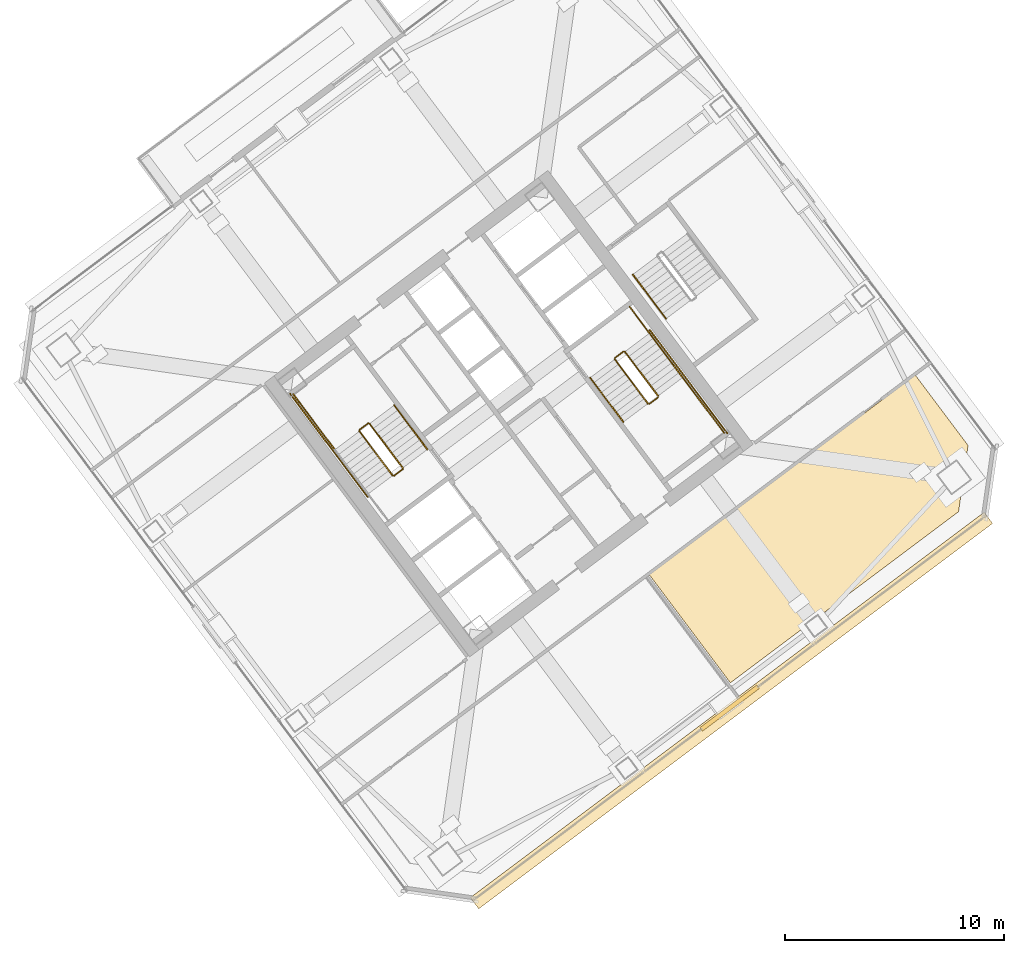
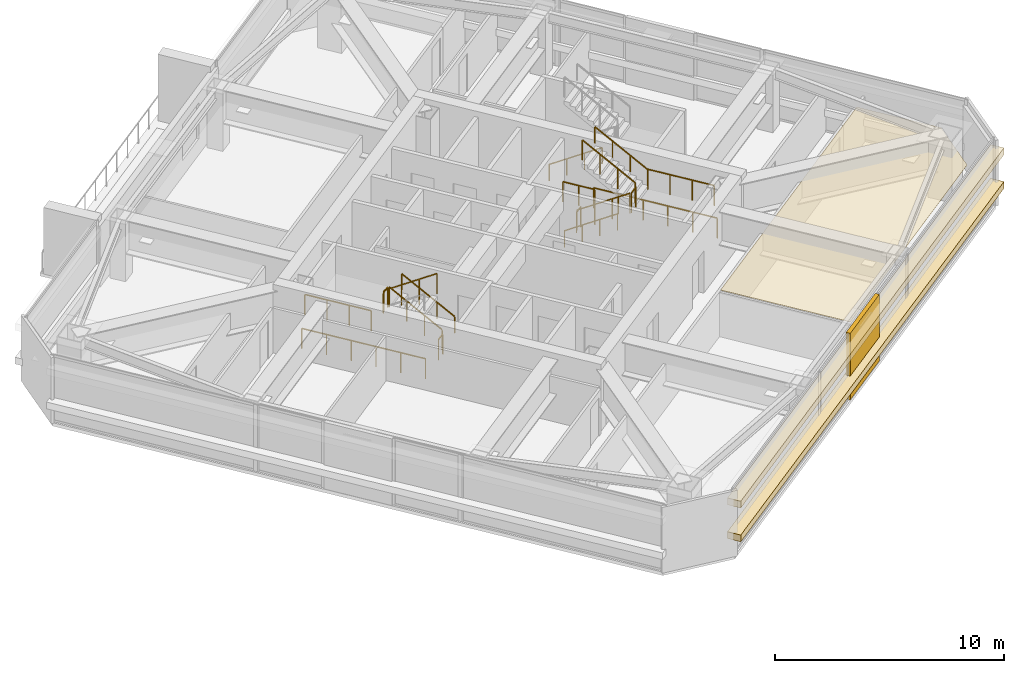
# One storey, part 40 of 42: 17 railings, 4 coverings.
"""IFC4 building model written with IfcOpenShell, lengths in metres."""

import ifcopenshell
import ifcopenshell.guid

model = None  # the IFC model being written
_history = None  # IfcOwnerHistory: only IFC2X3 demands one
_inside = {}  # id of a spatial element -> (the spatial element, [elements in it])
_under = {}  # id of a project, library or spatial element -> (it, [spatial elements below it])
_declared = {}  # id of a project -> (the project, [libraries it declares])
_typed = {}  # id of a type object -> (the type object, [elements of that type])
_made_of = {}  # id of a material, layer set ... -> (it, [elements and type objects made of it])


def new_model(schema):
    """Start an empty IFC model of exactly this schema.

    Asked for "IFC4X3", IfcOpenShell would pick the latest addendum, in which some entities
    have other attributes; the version numbers below select the first issue.
    IFC2X3 requires an IfcOwnerHistory on every rooted entity: one is made here for all.
    """
    global model, _history
    if schema == "IFC4X3":
        model = ifcopenshell.file(schema_version=(4, 3, 0, 0))
    else:
        model = ifcopenshell.file(schema=schema)
    _inside.clear()
    _under.clear()
    _declared.clear()
    _typed.clear()
    _made_of.clear()
    _history = None
    if model.schema == "IFC2X3":
        org = make("IfcOrganization", Name="unknown")
        user = make(
            "IfcPersonAndOrganization",
            ThePerson=make("IfcPerson", FamilyName="unknown"),
            TheOrganization=org,
        )
        app = make(
            "IfcApplication",
            ApplicationDeveloper=org,
            Version="unknown",
            ApplicationFullName="unknown",
            ApplicationIdentifier="unknown",
        )
        _history = make(
            "IfcOwnerHistory",
            OwningUser=user,
            OwningApplication=app,
            ChangeAction="ADDED",
            CreationDate=0,
        )
    return model


def make(cls, **values):
    """One entity of the class cls with the attributes given. An attribute that is None is left unset."""
    return model.create_entity(
        cls, **{name: value for name, value in values.items() if value is not None}
    )


def rooted(cls, **values):
    """An entity with a GlobalId (a new one), such as an element, a storey or a relation."""
    return make(cls, GlobalId=ifcopenshell.guid.new(), OwnerHistory=_history, **values)


def si_unit(unit_type, name, prefix=None):
    """IfcSIUnit, for example si_unit("LENGTHUNIT", "METRE", prefix="MILLI")."""
    return make("IfcSIUnit", UnitType=unit_type, Prefix=prefix, Name=name)


def assignment(units):
    """IfcUnitAssignment: the units of a project."""
    return None if units is None else make("IfcUnitAssignment", Units=units)


def point(xyz):
    """IfcCartesianPoint."""
    return None if xyz is None else make("IfcCartesianPoint", Coordinates=xyz)


def direction(xyz):
    """IfcDirection."""
    return None if xyz is None else make("IfcDirection", DirectionRatios=xyz)


def frame(location, z_axis=None, x_axis=None):
    """IfcAxis2Placement3D, a coordinate frame: its origin and axes. An axis left out is left unset."""
    return make(
        "IfcAxis2Placement3D",
        Location=point(location),
        Axis=direction(z_axis),
        RefDirection=direction(x_axis),
    )


def frame_2d(location, x_axis=None):
    """IfcAxis2Placement2D, a coordinate frame in the plane: its origin and x axis."""
    return make(
        "IfcAxis2Placement2D", Location=point(location), RefDirection=direction(x_axis)
    )


def origin():
    """The frame at (0, 0, 0) with its axes left unset."""
    return frame((0.0, 0.0, 0.0))


def origin_2d():
    """The frame at (0, 0) in the plane with its x axis left unset."""
    return frame_2d((0.0, 0.0))


def place(relative_to, where):
    """IfcLocalPlacement: puts the frame where relative to a parent placement (None: the world)."""
    return make(
        "IfcLocalPlacement", PlacementRelTo=relative_to, RelativePlacement=where
    )


def context(
    kind, dimensions, precision=None, world=None, true_north=None, identifier=None
):
    """IfcGeometricRepresentationContext, for example the 3D "Model" context."""
    return make(
        "IfcGeometricRepresentationContext",
        ContextIdentifier=identifier,
        ContextType=kind,
        CoordinateSpaceDimension=dimensions,
        Precision=precision,
        WorldCoordinateSystem=world,
        TrueNorth=true_north,
    )


def subcontext(parent, identifier, kind, view, scale=None):
    """IfcGeometricRepresentationSubContext, for example "Body" below "Model"."""
    return make(
        "IfcGeometricRepresentationSubContext",
        ContextIdentifier=identifier,
        ContextType=kind,
        ParentContext=parent,
        TargetScale=scale,
        TargetView=view,
    )


def project(units=None, contexts=None):
    """IfcProject with its units and contexts."""
    return rooted(
        "IfcProject",
        Name="project",
        RepresentationContexts=contexts,
        UnitsInContext=assignment(units),
    )


def spatial(cls, under=None, at=None, **own):
    """A site, building, storey or space (cls), placed at a placement, below another one or the project."""
    s = rooted(cls, ObjectPlacement=at, **own)
    if under is not None:
        _under.setdefault(under.id(), (under, []))[1].append(s)
    return s


def polyline(points):
    """IfcPolyline through the points."""
    return make("IfcPolyline", Points=[point(p) for p in points])


def profile(cls, at=None, kind="AREA", **sizes):
    """A parametric profile (cls). Its sizes go by their IFC names, for example OverallWidth=200.0."""
    return make(cls, ProfileType=kind, Position=at, **sizes)


def rectangle(**sizes):
    """IfcRectangleProfileDef."""
    return profile("IfcRectangleProfileDef", **sizes)


def outline(outer, holes=None, kind="AREA"):
    """IfcArbitraryClosedProfileDef: a profile drawn as a closed curve; with holes, ...WithVoids."""
    if holes is None:
        return make("IfcArbitraryClosedProfileDef", ProfileType=kind, OuterCurve=outer)
    return make(
        "IfcArbitraryProfileDefWithVoids",
        ProfileType=kind,
        OuterCurve=outer,
        InnerCurves=holes,
    )


def extrude(swept, where, along, depth):
    """IfcExtrudedAreaSolid: the profile swept, set in the frame where, extruded along a direction by depth."""
    return make(
        "IfcExtrudedAreaSolid",
        SweptArea=swept,
        Position=where,
        ExtrudedDirection=direction(along),
        Depth=depth,
    )


def shape(context_of_items, identifier, shape_type, items):
    """IfcShapeRepresentation: the items that make up one representation, for example the "Body"."""
    return make(
        "IfcShapeRepresentation",
        ContextOfItems=context_of_items,
        RepresentationIdentifier=identifier,
        RepresentationType=shape_type,
        Items=items,
    )


def material(Name=None, Category=None):
    """IfcMaterial."""
    return make("IfcMaterial", Name=Name, Category=Category)


def layer(
    of_material, thickness, ventilated=None, Name=None, Category=None, Priority=None
):
    """IfcMaterialLayer: one layer of a wall or slab, of a material (None: an air gap)."""
    return make(
        "IfcMaterialLayer",
        Material=of_material,
        LayerThickness=thickness,
        IsVentilated=ventilated,
        Name=Name,
        Category=Category,
        Priority=Priority,
    )


def layer_set(layers, Name=None):
    """IfcMaterialLayerSet."""
    return make("IfcMaterialLayerSet", MaterialLayers=layers, LayerSetName=Name)


def made_of(thing, what):
    """Note that an element or type object is made of a material, layer set ...; save() writes the relation."""
    if what is not None:
        _made_of.setdefault(what.id(), (what, []))[1].append(thing)
    return thing


def type_object(cls, material=None, **own):
    """A type object (cls), such as IfcWallType, which elements share."""
    return made_of(rooted(cls, **own), material)


def element(
    cls,
    number,
    at=None,
    inside=None,
    cuts=None,
    type_object=None,
    material=None,
    context=None,
    identifier="Body",
    shape_type=None,
    held_by="IfcProductDefinitionShape",
    body=None,
    shapes=None,
    **own,
):
    """One element of the class cls, such as IfcWall. Its Tag is "e" and its number.

    at: its placement. inside: the storey or other place that contains it. cuts: it is an
    opening in that element (IfcRelVoidsElement). A single representation is given by context,
    identifier, shape_type and body (its items); several are given by shapes. held_by: the class
    of the entity that holds the representations. save() writes the other relations.
    """
    e = rooted(cls, Tag="e%d" % number, ObjectPlacement=at, **own)
    if body is not None:
        shapes = [shape(context, identifier, shape_type, body)]
    if shapes is not None:
        e.Representation = make(held_by, Representations=shapes)
    if inside is not None:
        _inside.setdefault(inside.id(), (inside, []))[1].append(e)
    if cuts is not None:
        rooted(
            "IfcRelVoidsElement", RelatingBuildingElement=cuts, RelatedOpeningElement=e
        )
    if type_object is not None:
        _typed.setdefault(type_object.id(), (type_object, []))[1].append(e)
    return made_of(e, material)


def aggregate(whole, parts):
    """IfcRelAggregates: a whole, such as a stair, and the parts it consists of."""
    return rooted("IfcRelAggregates", RelatingObject=whole, RelatedObjects=parts)


def save(model, path):
    """Write the relations noted so far, then the file.

    IfcRelAggregates (storeys below a building ...), IfcRelContainedInSpatialStructure (elements
    in a storey), IfcRelDefinesByType, IfcRelAssociatesMaterial and IfcRelDeclares: one each for
    every whole, place, type object, material and project.
    """
    for whole, parts in _under.values():
        aggregate(whole, parts)
    for where, things in _inside.values():
        rooted(
            "IfcRelContainedInSpatialStructure",
            RelatedElements=things,
            RelatingStructure=where,
        )
    for kind, things in _typed.values():
        rooted("IfcRelDefinesByType", RelatedObjects=things, RelatingType=kind)
    for what, things in _made_of.values():
        rooted("IfcRelAssociatesMaterial", RelatedObjects=things, RelatingMaterial=what)
    for by, libraries in _declared.values():
        rooted("IfcRelDeclares", RelatingContext=by, RelatedDefinitions=libraries)
    model.write(path)


model = new_model("IFC4")

# Units and contexts
model_context = context("Model", 3, precision=1e-05, world=origin(), true_north=direction((0.0, 1.0)))
body_context = subcontext(model_context, "Body", "Model", "MODEL_VIEW")
ifc_project = project(units=[si_unit("LENGTHUNIT", "METRE"), si_unit("AREAUNIT", "SQUARE_METRE"), si_unit("VOLUMEUNIT", "CUBIC_METRE"), si_unit("PLANEANGLEUNIT", "RADIAN"), si_unit("MASSUNIT", "GRAM", prefix="KILO")], contexts=[model_context])

# Site, building, storey
site_placement = place(None, origin())
site = spatial("IfcSite", under=ifc_project, at=site_placement, CompositionType="ELEMENT")
building_placement = place(site_placement, origin())
building = spatial("IfcBuilding", under=site, at=building_placement, Name="Tashvorn Skyway Center", CompositionType="ELEMENT")
storey_placement = place(building_placement, frame((0.0, 0.0, 196.050048828125)))
storey = spatial("IfcBuildingStorey", under=building, at=storey_placement, Name="L53", CompositionType="ELEMENT", Elevation=196.050048828125)

# Coverings
ifc_material_1 = material(Name="Precast concrete C40/50", Category="concrete")
ifc_layer_1 = layer(ifc_material_1, 0.199951171875)
ifc_layer_set_1 = layer_set([ifc_layer_1], Name="Precast concrete C40/50")
covering_type_1 = type_object("IfcCoveringType", Name="COV-BRACE-CLAD", PredefinedType="CLADDING", material=ifc_layer_set_1)
covering_1_placement = place(storey_placement, frame((124.068115234375, 18.575927734375, 0.0), z_axis=(0.0, 0.0, 1.0), x_axis=(-0.799999996291, -0.600000004945, 0.0)))
element("IfcCovering", 1, at=covering_1_placement, inside=storey, type_object=covering_type_1, Name="Tower 2 L53 South Unitised Curtain Wall Mega-Brace Cladding Band 1", PredefinedType="CLADDING", context=body_context, shape_type="SweptSolid", body=[
    extrude(rectangle(XDim=3.239990234375, YDim=0.199951171875, at=origin_2d()), origin(), (0.0, 0.0, 1.0), 3.550048828125),
])
ifc_material_2 = material(Name="Mineral-fibre acoustic ceiling tile on suspended grid")
ifc_layer_2 = layer(ifc_material_2, 0.02001953125)
ifc_layer_set_2 = layer_set([ifc_layer_2], Name="Mineral-fibre acoustic ceiling tile on suspended grid")
covering_type_2 = type_object("IfcCoveringType", Name="COV-CEIL-20", PredefinedType="CEILING", material=ifc_layer_set_2)
covering_2_placement = place(storey_placement, frame((0.0, 0.0, 2.373046875)))
element("IfcCovering", 2, at=covering_2_placement, inside=storey, type_object=covering_type_2, Name="Tower 2 L53 Staff Fitness Club Acoustic Ceiling", PredefinedType="CEILING", context=body_context, shape_type="SweptSolid", body=[
    extrude(outline(polyline([(124.10400390625, 19.72802734375), (120.402099609375, 24.6640625), (132.530029296875, 33.760009765625), (134.93603515625, 30.552001953125), (134.50390625, 27.528076171875), (124.10400390625, 19.72802734375)])), origin(), (0.0, 0.0, 1.0), 0.02001953125),
])
ifc_material_3 = material(Name="Perforated ceramic-coated bronze aluminium solar screen", Category="aluminium")
ifc_layer_3 = layer(ifc_material_3, 0.85009765625)
ifc_layer_set_3 = layer_set([ifc_layer_3], Name="Perforated ceramic-coated bronze aluminium solar screen")
covering_type_3 = type_object("IfcCoveringType", Name="COV-SOLAR-BAND", PredefinedType="CLADDING", material=ifc_layer_set_3)
for number, where, z_axis, x_axis, name in (
    (3, (124.152099609375, 18.464111328125, 0.919921875), (0.0, 0.0, 1.0), (-0.799999996291, -0.600000004945, 0.0), "L53 Perforated Ceramic-Metal Solar Screen Louvre Band South 1"),
    (4, (124.152099609375, 18.464111328125, 2.7197265625), (0.0, 0.0, 1.0), (-0.799999996291, -0.600000004945, 0.0), "L53 Perforated Ceramic-Metal Solar Screen Louvre Band South 2"),
):
    element("IfcCovering", number, at=place(storey_placement, frame(where, z_axis=z_axis, x_axis=x_axis)), inside=storey, type_object=covering_type_3, Name=name, PredefinedType="CLADDING", context=body_context, shape_type="SweptSolid", body=[
        extrude(rectangle(XDim=29.280029296875, YDim=0.639892578125, at=origin_2d()), origin(), (0.0, 0.0, 1.0), 0.360107421875),
    ])

# Railings
ifc_material_4 = material(Name="Brushed stainless steel 316", Category="steel")
railing_type_1 = type_object("IfcRailingType", Name="RAIL-HAND-920", PredefinedType="HANDRAIL", material=ifc_material_4)
railing_1_placement = place(storey_placement, frame((110.2880859375, 30.365966796875, 0.177490234375)))
element("IfcRailing", 5, at=railing_1_placement, inside=storey, type_object=railing_type_1, Name="L53 ST-T2-1 stair handrail 1", PredefinedType="HANDRAIL", context=body_context, shape_type="SweptSolid", body=[
    extrude(rectangle(XDim=0.048095703125, YDim=0.048095703125, at=origin_2d()), frame((0.0, 0.0, 0.8759765625), z_axis=(-0.506801609611, 0.675680931896, 0.535357270211), x_axis=(-0.799976749893, -0.600030998891, 0.0)), (0.0, 0.0, 1.0), 2.98388671875),
    extrude(rectangle(XDim=0.0419921875, YDim=0.0419921875, at=origin_2d()), origin(), (0.0, 0.0, 1.0), 0.851806640625),
    extrude(rectangle(XDim=0.0419921875, YDim=0.0419921875, at=origin_2d()), frame((-0.504150390625, 0.672119140625, 0.532470703125)), (0.0, 0.0, 1.0), 0.851806640625),
    extrude(rectangle(XDim=0.0419921875, YDim=0.0419921875, at=origin_2d()), frame((-1.008056640625, 1.343994140625, 1.06494140625)), (0.0, 0.0, 1.0), 0.851806640625),
    extrude(rectangle(XDim=0.0419921875, YDim=0.0419921875, at=origin_2d()), frame((-1.51220703125, 2.01611328125, 1.597412109375)), (0.0, 0.0, 1.0), 0.851806640625),
])
railing_2_placement = place(storey_placement, frame((117.7119140625, 33.634033203125, 0.177490234375)))
element("IfcRailing", 6, at=railing_2_placement, inside=storey, type_object=railing_type_1, Name="L53 ST-T2-2 stair handrail 1", PredefinedType="HANDRAIL", context=body_context, shape_type="SweptSolid", body=[
    extrude(rectangle(XDim=0.048095703125, YDim=0.048095703125, at=origin_2d()), frame((0.0, 0.0, 0.8759765625), z_axis=(0.506801609611, -0.675680931896, 0.535357270211), x_axis=(0.799976749893, 0.600030998891, 0.0)), (0.0, 0.0, 1.0), 2.98388671875),
    extrude(rectangle(XDim=0.0419921875, YDim=0.0419921875, at=origin_2d()), origin(), (0.0, 0.0, 1.0), 0.851806640625),
    extrude(rectangle(XDim=0.0419921875, YDim=0.0419921875, at=origin_2d()), frame((0.504150390625, -0.672119140625, 0.532470703125)), (0.0, 0.0, 1.0), 0.851806640625),
    extrude(rectangle(XDim=0.0419921875, YDim=0.0419921875, at=origin_2d()), frame((1.008056640625, -1.343994140625, 1.06494140625)), (0.0, 0.0, 1.0), 0.851806640625),
    extrude(rectangle(XDim=0.0419921875, YDim=0.0419921875, at=origin_2d()), frame((1.51220703125, -2.01611328125, 1.597412109375)), (0.0, 0.0, 1.0), 0.851806640625),
])
railing_3_placement = place(storey_placement, frame((121.927978515625, 33.64599609375, 1.952392578125)))
element("IfcRailing", 7, at=railing_3_placement, inside=storey, type_object=railing_type_1, Name="L53 ST-T2-2 stair handrail 2", PredefinedType="HANDRAIL", context=body_context, shape_type="SweptSolid", body=[
    extrude(rectangle(XDim=0.048095703125, YDim=0.048095703125, at=origin_2d()), frame((0.0, 0.0, 0.8759765625), z_axis=(-0.506718600913, 0.675679348675, 0.535437836974), x_axis=(-0.800023250257, -0.599968998406, 0.0)), (0.0, 0.0, 1.0), 2.98388671875),
    extrude(rectangle(XDim=0.0419921875, YDim=0.0419921875, at=origin_2d()), origin(), (0.0, 0.0, 1.0), 0.851806640625),
    extrude(rectangle(XDim=0.0419921875, YDim=0.0419921875, at=origin_2d()), frame((-0.50390625, 0.672119140625, 0.532470703125)), (0.0, 0.0, 1.0), 0.851806640625),
    extrude(rectangle(XDim=0.0419921875, YDim=0.0419921875, at=origin_2d()), frame((-1.008056640625, 1.343994140625, 1.065185546875)), (0.0, 0.0, 1.0), 0.851806640625),
    extrude(rectangle(XDim=0.0419921875, YDim=0.0419921875, at=origin_2d()), frame((-1.511962890625, 2.01611328125, 1.59765625)), (0.0, 0.0, 1.0), 0.851806640625),
])
railing_4_placement = place(storey_placement, frame((119.656005859375, 38.342041015625, 0.177490234375)))
element("IfcRailing", 8, at=railing_4_placement, inside=storey, type_object=railing_type_1, Name="L53 ST-T2-3 stair handrail 1", PredefinedType="HANDRAIL", context=body_context, shape_type="SweptSolid", body=[
    extrude(rectangle(XDim=0.048095703125, YDim=0.048095703125, at=origin_2d()), frame((0.0, 0.0, 0.8759765625), z_axis=(0.506740800098, -0.675708949977, 0.535379469569), x_axis=(0.800023250257, 0.599968998406, 0.0)), (0.0, 0.0, 1.0), 2.983642578125),
    extrude(rectangle(XDim=0.0419921875, YDim=0.0419921875, at=origin_2d()), origin(), (0.0, 0.0, 1.0), 0.851806640625),
    extrude(rectangle(XDim=0.0419921875, YDim=0.0419921875, at=origin_2d()), frame((0.50390625, -0.672119140625, 0.532470703125)), (0.0, 0.0, 1.0), 0.851806640625),
    extrude(rectangle(XDim=0.0419921875, YDim=0.0419921875, at=origin_2d()), frame((1.008056640625, -1.343994140625, 1.06494140625)), (0.0, 0.0, 1.0), 0.851806640625),
    extrude(rectangle(XDim=0.0419921875, YDim=0.0419921875, at=origin_2d()), frame((1.511962890625, -2.01611328125, 1.597412109375)), (0.0, 0.0, 1.0), 0.851806640625),
])
ifc_material_5 = material(Name="Painted galvanized steel S355", Category="steel")
railing_type_2 = type_object("IfcRailingType", Name="RAIL-STGUARD-1100", PredefinedType="GUARDRAIL", material=ifc_material_5)
railing_5_placement = place(storey_placement, frame((109.16796875, 29.52587890625, 0.177490234375)))
element("IfcRailing", 9, at=railing_5_placement, inside=storey, type_object=railing_type_2, Name="L53 ST-T2-1 stair guard 1", PredefinedType="GUARDRAIL", context=body_context, shape_type="SweptSolid", body=[
    extrude(rectangle(XDim=0.048095703125, YDim=0.048095703125, at=origin_2d()), frame((0.0, 0.0, 1.076171875), z_axis=(-0.506740800098, 0.675708949977, 0.535379469569), x_axis=(-0.800023250257, -0.599968998406, 0.0)), (0.0, 0.0, 1.0), 2.983642578125),
    extrude(rectangle(XDim=0.0419921875, YDim=0.0419921875, at=origin_2d()), origin(), (0.0, 0.0, 1.0), 1.052001953125),
    extrude(rectangle(XDim=0.0419921875, YDim=0.0419921875, at=origin_2d()), frame((-0.50390625, 0.672119140625, 0.532470703125)), (0.0, 0.0, 1.0), 1.052001953125),
    extrude(rectangle(XDim=0.0419921875, YDim=0.0419921875, at=origin_2d()), frame((-1.008056640625, 1.343994140625, 1.06494140625)), (0.0, 0.0, 1.0), 1.052001953125),
    extrude(rectangle(XDim=0.0419921875, YDim=0.0419921875, at=origin_2d()), frame((-1.511962890625, 2.01611328125, 1.597412109375)), (0.0, 0.0, 1.0), 1.052001953125),
])
railing_6_placement = place(storey_placement, frame((107.5859375, 31.552001953125, 1.77490234375)))
element("IfcRailing", 10, at=railing_6_placement, inside=storey, type_object=railing_type_2, Name="L53 ST-T2-1 stair guard 2", PredefinedType="GUARDRAIL", context=body_context, shape_type="SweptSolid", body=[
    extrude(rectangle(XDim=0.048095703125, YDim=0.048095703125, at=origin_2d()), frame((0.0, 0.0, 1.076171875), z_axis=(-0.799938970639, -0.600081363861, 0.0), x_axis=(0.600081363861, -0.799938970639, 0.0)), (0.0, 0.0, 1.0), 0.47998046875),
    extrude(rectangle(XDim=0.0419921875, YDim=0.0419921875, at=origin_2d()), origin(), (0.0, 0.0, 1.0), 1.052001953125),
    extrude(rectangle(XDim=0.0419921875, YDim=0.0419921875, at=origin_2d()), frame((-0.384033203125, -0.2880859375, 0.0)), (0.0, 0.0, 1.0), 1.052001953125),
])
railing_7_placement = place(storey_placement, frame((106.072021484375, 30.35400390625, 1.77490234375)))
element("IfcRailing", 11, at=railing_7_placement, inside=storey, type_object=railing_type_2, Name="L53 ST-T2-1 stair guard 3", PredefinedType="GUARDRAIL", context=body_context, shape_type="SweptSolid", body=[
    extrude(rectangle(XDim=0.048095703125, YDim=0.048095703125, at=origin_2d()), frame((0.0, 0.0, 1.076171875), z_axis=(-0.599987638607, 0.800009270896, 0.0), x_axis=(-0.800009270896, -0.599987638607, 0.0)), (0.0, 0.0, 1.0), 3.16015625),
    extrude(rectangle(XDim=0.0419921875, YDim=0.0419921875, at=origin_2d()), origin(), (0.0, 0.0, 1.0), 1.052001953125),
    extrude(rectangle(XDim=0.0419921875, YDim=0.0419921875, at=origin_2d()), frame((-0.632080078125, 0.8427734375, 0.0)), (0.0, 0.0, 1.0), 1.052001953125),
    extrude(rectangle(XDim=0.0419921875, YDim=0.0419921875, at=origin_2d()), frame((-1.263916015625, 1.685302734375, 0.0)), (0.0, 0.0, 1.0), 1.052001953125),
    extrude(rectangle(XDim=0.0419921875, YDim=0.0419921875, at=origin_2d()), frame((-1.89599609375, 2.528076171875, 0.0)), (0.0, 0.0, 1.0), 1.052001953125),
])
railing_8_placement = place(storey_placement, frame((107.19189453125, 31.194091796875, 1.952392578125)))
element("IfcRailing", 12, at=railing_8_placement, inside=storey, type_object=railing_type_2, Name="L53 ST-T2-1 stair guard 4", PredefinedType="GUARDRAIL", context=body_context, shape_type="SweptSolid", body=[
    extrude(rectangle(XDim=0.048095703125, YDim=0.048095703125, at=origin_2d()), frame((0.0, 0.0, 1.076171875), z_axis=(0.506779409603, -0.675651334276, 0.53541563714), x_axis=(0.799976749893, 0.600030998891, 0.0)), (0.0, 0.0, 1.0), 2.98388671875),
    extrude(rectangle(XDim=0.0419921875, YDim=0.0419921875, at=origin_2d()), origin(), (0.0, 0.0, 1.0), 1.052001953125),
    extrude(rectangle(XDim=0.0419921875, YDim=0.0419921875, at=origin_2d()), frame((0.504150390625, -0.672119140625, 0.532470703125)), (0.0, 0.0, 1.0), 1.052001953125),
    extrude(rectangle(XDim=0.0419921875, YDim=0.0419921875, at=origin_2d()), frame((1.008056640625, -1.343994140625, 1.065185546875)), (0.0, 0.0, 1.0), 1.052001953125),
    extrude(rectangle(XDim=0.0419921875, YDim=0.0419921875, at=origin_2d()), frame((1.51220703125, -2.01611328125, 1.59765625)), (0.0, 0.0, 1.0), 1.052001953125),
])
railing_9_placement = place(storey_placement, frame((109.157958984375, 29.4560546875, 0.0)))
element("IfcRailing", 13, at=railing_9_placement, inside=storey, type_object=railing_type_2, Name="L53 ST-T2-1 stair guard 5", PredefinedType="GUARDRAIL", context=body_context, shape_type="SweptSolid", body=[
    extrude(rectangle(XDim=0.048095703125, YDim=0.048095703125, at=origin_2d()), frame((0.0, 0.0, 1.076171875), z_axis=(-0.799938970639, -0.600081363861, 0.0), x_axis=(0.600081363861, -0.799938970639, 0.0)), (0.0, 0.0, 1.0), 0.47998046875),
    extrude(rectangle(XDim=0.0419921875, YDim=0.0419921875, at=origin_2d()), origin(), (0.0, 0.0, 1.0), 1.052001953125),
    extrude(rectangle(XDim=0.0419921875, YDim=0.0419921875, at=origin_2d()), frame((-0.384033203125, -0.2880859375, 0.0)), (0.0, 0.0, 1.0), 1.052001953125),
])
railing_10_placement = place(storey_placement, frame((107.56396484375, 28.197998046875, 0.0)))
element("IfcRailing", 14, at=railing_10_placement, inside=storey, type_object=railing_type_2, Name="L53 ST-T2-1 stair guard 7", PredefinedType="GUARDRAIL", context=body_context, shape_type="SweptSolid", body=[
    extrude(rectangle(XDim=0.048095703125, YDim=0.048095703125, at=origin_2d()), frame((0.0, 0.0, 1.076171875), z_axis=(-0.6, 0.8, 0.0), x_axis=(-0.8, -0.6, 0.0)), (0.0, 0.0, 1.0), 5.880126953125),
    extrude(rectangle(XDim=0.0419921875, YDim=0.0419921875, at=origin_2d()), origin(), (0.0, 0.0, 1.0), 1.052001953125),
    extrude(rectangle(XDim=0.0419921875, YDim=0.0419921875, at=origin_2d()), frame((-0.70556640625, 0.94091796875, 0.0)), (0.0, 0.0, 1.0), 1.052001953125),
    extrude(rectangle(XDim=0.0419921875, YDim=0.0419921875, at=origin_2d()), frame((-1.4111328125, 1.881591796875, 0.0)), (0.0, 0.0, 1.0), 1.052001953125),
    extrude(rectangle(XDim=0.0419921875, YDim=0.0419921875, at=origin_2d()), frame((-2.116943359375, 2.822509765625, 0.0)), (0.0, 0.0, 1.0), 1.052001953125),
    extrude(rectangle(XDim=0.0419921875, YDim=0.0419921875, at=origin_2d()), frame((-2.822509765625, 3.76318359375, 0.0)), (0.0, 0.0, 1.0), 1.052001953125),
    extrude(rectangle(XDim=0.0419921875, YDim=0.0419921875, at=origin_2d()), frame((-3.528076171875, 4.7041015625, 0.0)), (0.0, 0.0, 1.0), 1.052001953125),
])
railing_11_placement = place(storey_placement, frame((118.83203125, 34.47412109375, 0.177490234375)))
element("IfcRailing", 15, at=railing_11_placement, inside=storey, type_object=railing_type_2, Name="L53 ST-T2-2 stair guard 1", PredefinedType="GUARDRAIL", context=body_context, shape_type="SweptSolid", body=[
    extrude(rectangle(XDim=0.048095703125, YDim=0.048095703125, at=origin_2d()), frame((0.0, 0.0, 1.076171875), z_axis=(0.506740800098, -0.675708949977, 0.535379469569), x_axis=(0.800023250257, 0.599968998406, 0.0)), (0.0, 0.0, 1.0), 2.983642578125),
    extrude(rectangle(XDim=0.0419921875, YDim=0.0419921875, at=origin_2d()), origin(), (0.0, 0.0, 1.0), 1.052001953125),
    extrude(rectangle(XDim=0.0419921875, YDim=0.0419921875, at=origin_2d()), frame((0.50390625, -0.672119140625, 0.532470703125)), (0.0, 0.0, 1.0), 1.052001953125),
    extrude(rectangle(XDim=0.0419921875, YDim=0.0419921875, at=origin_2d()), frame((1.008056640625, -1.343994140625, 1.06494140625)), (0.0, 0.0, 1.0), 1.052001953125),
    extrude(rectangle(XDim=0.0419921875, YDim=0.0419921875, at=origin_2d()), frame((1.511962890625, -2.01611328125, 1.597412109375)), (0.0, 0.0, 1.0), 1.052001953125),
])
railing_12_placement = place(storey_placement, frame((120.4140625, 32.447998046875, 1.77490234375)))
element("IfcRailing", 16, at=railing_12_placement, inside=storey, type_object=railing_type_2, Name="L53 ST-T2-2 stair guard 2", PredefinedType="GUARDRAIL", context=body_context, shape_type="SweptSolid", body=[
    extrude(rectangle(XDim=0.048095703125, YDim=0.048095703125, at=origin_2d()), frame((0.0, 0.0, 1.076171875), z_axis=(0.799938970639, 0.600081363861, 0.0), x_axis=(-0.600081363861, 0.799938970639, 0.0)), (0.0, 0.0, 1.0), 0.47998046875),
    extrude(rectangle(XDim=0.0419921875, YDim=0.0419921875, at=origin_2d()), origin(), (0.0, 0.0, 1.0), 1.052001953125),
    extrude(rectangle(XDim=0.0419921875, YDim=0.0419921875, at=origin_2d()), frame((0.384033203125, 0.2880859375, 0.0)), (0.0, 0.0, 1.0), 1.052001953125),
])
railing_13_placement = place(storey_placement, frame((121.927978515625, 33.64599609375, 1.77490234375)))
element("IfcRailing", 17, at=railing_13_placement, inside=storey, type_object=railing_type_2, Name="L53 ST-T2-2 stair guard 3", PredefinedType="GUARDRAIL", context=body_context, shape_type="SweptSolid", body=[
    extrude(rectangle(XDim=0.048095703125, YDim=0.048095703125, at=origin_2d()), frame((0.0, 0.0, 1.076171875), z_axis=(0.599987638607, -0.800009270896, 0.0), x_axis=(0.800009270896, 0.599987638607, 0.0)), (0.0, 0.0, 1.0), 3.16015625),
    extrude(rectangle(XDim=0.0419921875, YDim=0.0419921875, at=origin_2d()), origin(), (0.0, 0.0, 1.0), 1.052001953125),
    extrude(rectangle(XDim=0.0419921875, YDim=0.0419921875, at=origin_2d()), frame((0.632080078125, -0.8427734375, 0.0)), (0.0, 0.0, 1.0), 1.052001953125),
    extrude(rectangle(XDim=0.0419921875, YDim=0.0419921875, at=origin_2d()), frame((1.263916015625, -1.685302734375, 0.0)), (0.0, 0.0, 1.0), 1.052001953125),
    extrude(rectangle(XDim=0.0419921875, YDim=0.0419921875, at=origin_2d()), frame((1.89599609375, -2.528076171875, 0.0)), (0.0, 0.0, 1.0), 1.052001953125),
])
railing_14_placement = place(storey_placement, frame((120.80810546875, 32.805908203125, 1.952392578125)))
element("IfcRailing", 18, at=railing_14_placement, inside=storey, type_object=railing_type_2, Name="L53 ST-T2-2 stair guard 4", PredefinedType="GUARDRAIL", context=body_context, shape_type="SweptSolid", body=[
    extrude(rectangle(XDim=0.048095703125, YDim=0.048095703125, at=origin_2d()), frame((0.0, 0.0, 1.076171875), z_axis=(-0.506779409603, 0.675651334276, 0.53541563714), x_axis=(-0.799976749893, -0.600030998891, 0.0)), (0.0, 0.0, 1.0), 2.98388671875),
    extrude(rectangle(XDim=0.0419921875, YDim=0.0419921875, at=origin_2d()), origin(), (0.0, 0.0, 1.0), 1.052001953125),
    extrude(rectangle(XDim=0.0419921875, YDim=0.0419921875, at=origin_2d()), frame((-0.504150390625, 0.672119140625, 0.532470703125)), (0.0, 0.0, 1.0), 1.052001953125),
    extrude(rectangle(XDim=0.0419921875, YDim=0.0419921875, at=origin_2d()), frame((-1.008056640625, 1.343994140625, 1.065185546875)), (0.0, 0.0, 1.0), 1.052001953125),
    extrude(rectangle(XDim=0.0419921875, YDim=0.0419921875, at=origin_2d()), frame((-1.51220703125, 2.01611328125, 1.59765625)), (0.0, 0.0, 1.0), 1.052001953125),
])
railing_15_placement = place(storey_placement, frame((118.842041015625, 34.5439453125, 0.0)))
element("IfcRailing", 19, at=railing_15_placement, inside=storey, type_object=railing_type_2, Name="L53 ST-T2-2 stair guard 5", PredefinedType="GUARDRAIL", context=body_context, shape_type="SweptSolid", body=[
    extrude(rectangle(XDim=0.048095703125, YDim=0.048095703125, at=origin_2d()), frame((0.0, 0.0, 1.076171875), z_axis=(0.799938970639, 0.600081363861, 0.0), x_axis=(-0.600081363861, 0.799938970639, 0.0)), (0.0, 0.0, 1.0), 0.47998046875),
    extrude(rectangle(XDim=0.0419921875, YDim=0.0419921875, at=origin_2d()), origin(), (0.0, 0.0, 1.0), 1.052001953125),
    extrude(rectangle(XDim=0.0419921875, YDim=0.0419921875, at=origin_2d()), frame((0.384033203125, 0.2880859375, 0.0)), (0.0, 0.0, 1.0), 1.052001953125),
])
railing_16_placement = place(storey_placement, frame((119.50390625, 36.8779296875, 0.0)))
element("IfcRailing", 20, at=railing_16_placement, inside=storey, type_object=railing_type_2, Name="L53 ST-T2-2 stair guard 6", PredefinedType="GUARDRAIL", context=body_context, shape_type="SweptSolid", body=[
    extrude(rectangle(XDim=0.048095703125, YDim=0.048095703125, at=origin_2d()), frame((0.0, 0.0, 1.076171875), z_axis=(0.600102796382, -0.799922892393, 0.0), x_axis=(0.799922892393, 0.600102796382, 0.0)), (0.0, 0.0, 1.0), 1.52001953125),
    extrude(rectangle(XDim=0.0419921875, YDim=0.0419921875, at=origin_2d()), origin(), (0.0, 0.0, 1.0), 1.052001953125),
    extrude(rectangle(XDim=0.0419921875, YDim=0.0419921875, at=origin_2d()), frame((0.4560546875, -0.60791015625, 0.0)), (0.0, 0.0, 1.0), 1.052001953125),
    extrude(rectangle(XDim=0.0419921875, YDim=0.0419921875, at=origin_2d()), frame((0.912109375, -1.2158203125, 0.0)), (0.0, 0.0, 1.0), 1.052001953125),
])
railing_17_placement = place(storey_placement, frame((120.43603515625, 35.802001953125, 0.0)))
element("IfcRailing", 21, at=railing_17_placement, inside=storey, type_object=railing_type_2, Name="L53 ST-T2-2 stair guard 7", PredefinedType="GUARDRAIL", context=body_context, shape_type="SweptSolid", body=[
    extrude(rectangle(XDim=0.048095703125, YDim=0.048095703125, at=origin_2d()), frame((0.0, 0.0, 1.076171875), z_axis=(0.6, -0.8, 0.0), x_axis=(0.8, 0.6, 0.0)), (0.0, 0.0, 1.0), 5.880126953125),
    extrude(rectangle(XDim=0.0419921875, YDim=0.0419921875, at=origin_2d()), origin(), (0.0, 0.0, 1.0), 1.052001953125),
    extrude(rectangle(XDim=0.0419921875, YDim=0.0419921875, at=origin_2d()), frame((0.70556640625, -0.94091796875, 0.0)), (0.0, 0.0, 1.0), 1.052001953125),
    extrude(rectangle(XDim=0.0419921875, YDim=0.0419921875, at=origin_2d()), frame((1.4111328125, -1.881591796875, 0.0)), (0.0, 0.0, 1.0), 1.052001953125),
    extrude(rectangle(XDim=0.0419921875, YDim=0.0419921875, at=origin_2d()), frame((2.116943359375, -2.822509765625, 0.0)), (0.0, 0.0, 1.0), 1.052001953125),
    extrude(rectangle(XDim=0.0419921875, YDim=0.0419921875, at=origin_2d()), frame((2.822509765625, -3.76318359375, 0.0)), (0.0, 0.0, 1.0), 1.052001953125),
    extrude(rectangle(XDim=0.0419921875, YDim=0.0419921875, at=origin_2d()), frame((3.528076171875, -4.7041015625, 0.0)), (0.0, 0.0, 1.0), 1.052001953125),
])

save(model, "model.ifc")
